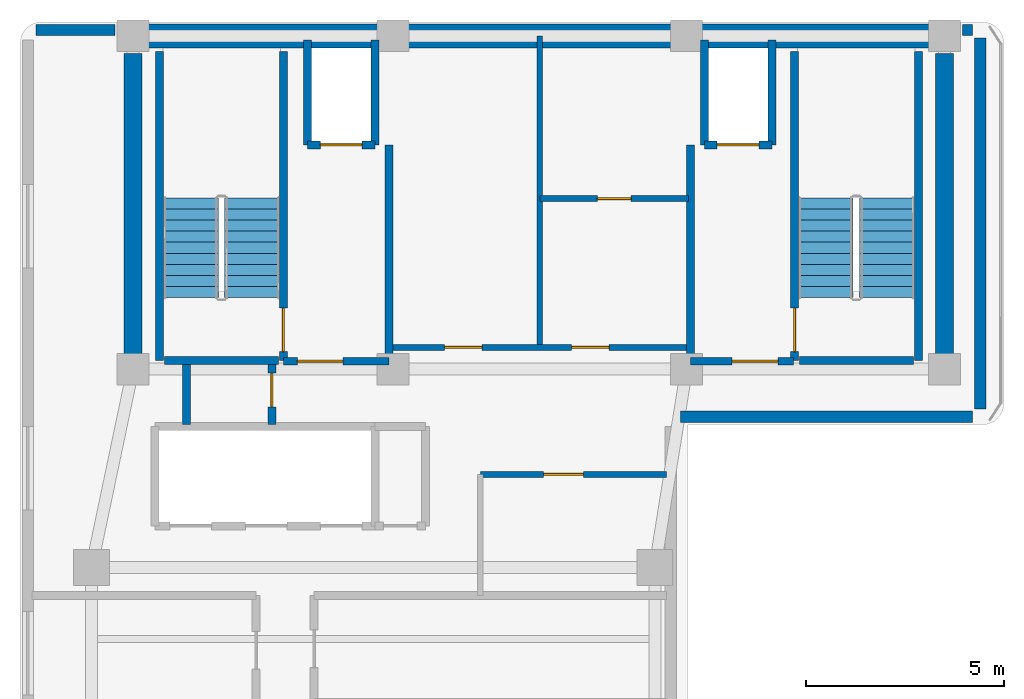
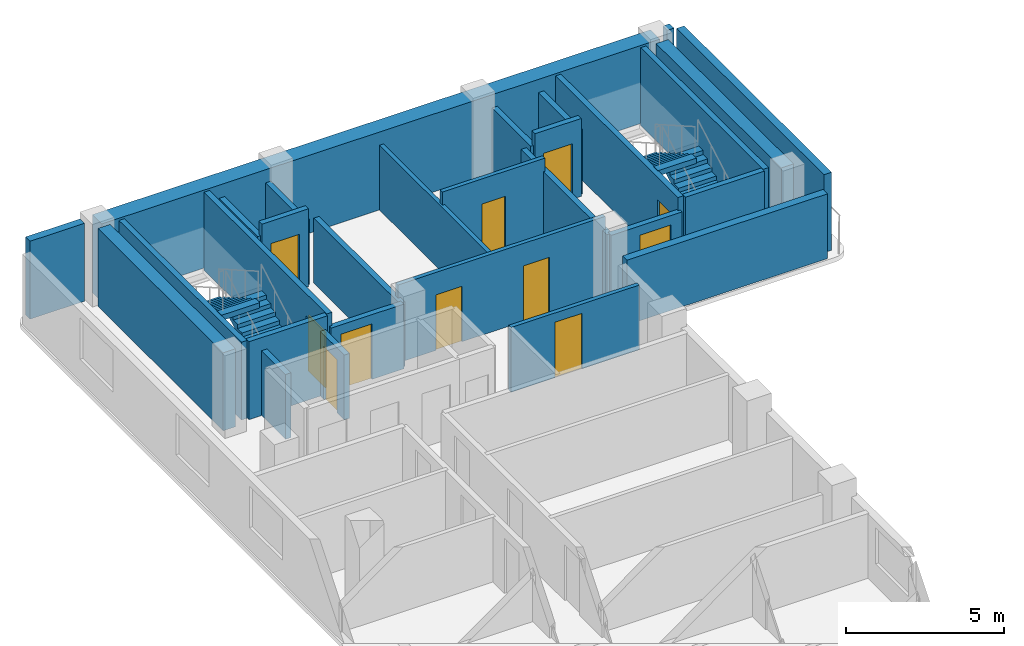
# One storey, part 3 of 4: 29 walls, 11 doors, 4 stair flights, 11 openings, 2 elements without a shape of their own.
"""IFC4 building model written with IfcOpenShell, lengths in metres."""

import ifcopenshell
import ifcopenshell.guid

model = None  # the IFC model being written
_history = None  # IfcOwnerHistory: only IFC2X3 demands one
_inside = {}  # id of a spatial element -> (the spatial element, [elements in it])
_under = {}  # id of a project, library or spatial element -> (it, [spatial elements below it])
_declared = {}  # id of a project -> (the project, [libraries it declares])
_typed = {}  # id of a type object -> (the type object, [elements of that type])
_made_of = {}  # id of a material, layer set ... -> (it, [elements and type objects made of it])


def new_model(schema):
    """Start an empty IFC model of exactly this schema.

    Asked for "IFC4X3", IfcOpenShell would pick the latest addendum, in which some entities
    have other attributes; the version numbers below select the first issue.
    IFC2X3 requires an IfcOwnerHistory on every rooted entity: one is made here for all.
    """
    global model, _history
    if schema == "IFC4X3":
        model = ifcopenshell.file(schema_version=(4, 3, 0, 0))
    else:
        model = ifcopenshell.file(schema=schema)
    _inside.clear()
    _under.clear()
    _declared.clear()
    _typed.clear()
    _made_of.clear()
    _history = None
    if model.schema == "IFC2X3":
        org = make("IfcOrganization", Name="unknown")
        user = make(
            "IfcPersonAndOrganization",
            ThePerson=make("IfcPerson", FamilyName="unknown"),
            TheOrganization=org,
        )
        app = make(
            "IfcApplication",
            ApplicationDeveloper=org,
            Version="unknown",
            ApplicationFullName="unknown",
            ApplicationIdentifier="unknown",
        )
        _history = make(
            "IfcOwnerHistory",
            OwningUser=user,
            OwningApplication=app,
            ChangeAction="ADDED",
            CreationDate=0,
        )
    return model


def make(cls, **values):
    """One entity of the class cls with the attributes given. An attribute that is None is left unset."""
    return model.create_entity(
        cls, **{name: value for name, value in values.items() if value is not None}
    )


def rooted(cls, **values):
    """An entity with a GlobalId (a new one), such as an element, a storey or a relation."""
    return make(cls, GlobalId=ifcopenshell.guid.new(), OwnerHistory=_history, **values)


def si_unit(unit_type, name, prefix=None):
    """IfcSIUnit, for example si_unit("LENGTHUNIT", "METRE", prefix="MILLI")."""
    return make("IfcSIUnit", UnitType=unit_type, Prefix=prefix, Name=name)


def assignment(units):
    """IfcUnitAssignment: the units of a project."""
    return None if units is None else make("IfcUnitAssignment", Units=units)


def point(xyz):
    """IfcCartesianPoint."""
    return None if xyz is None else make("IfcCartesianPoint", Coordinates=xyz)


def direction(xyz):
    """IfcDirection."""
    return None if xyz is None else make("IfcDirection", DirectionRatios=xyz)


def frame(location, z_axis=None, x_axis=None):
    """IfcAxis2Placement3D, a coordinate frame: its origin and axes. An axis left out is left unset."""
    return make(
        "IfcAxis2Placement3D",
        Location=point(location),
        Axis=direction(z_axis),
        RefDirection=direction(x_axis),
    )


def frame_2d(location, x_axis=None):
    """IfcAxis2Placement2D, a coordinate frame in the plane: its origin and x axis."""
    return make(
        "IfcAxis2Placement2D", Location=point(location), RefDirection=direction(x_axis)
    )


def origin():
    """The frame at (0, 0, 0) with its axes left unset."""
    return frame((0.0, 0.0, 0.0))


def place(relative_to, where):
    """IfcLocalPlacement: puts the frame where relative to a parent placement (None: the world)."""
    return make(
        "IfcLocalPlacement", PlacementRelTo=relative_to, RelativePlacement=where
    )


def context(
    kind, dimensions, precision=None, world=None, true_north=None, identifier=None
):
    """IfcGeometricRepresentationContext, for example the 3D "Model" context."""
    return make(
        "IfcGeometricRepresentationContext",
        ContextIdentifier=identifier,
        ContextType=kind,
        CoordinateSpaceDimension=dimensions,
        Precision=precision,
        WorldCoordinateSystem=world,
        TrueNorth=true_north,
    )


def subcontext(parent, identifier, kind, view, scale=None):
    """IfcGeometricRepresentationSubContext, for example "Body" below "Model"."""
    return make(
        "IfcGeometricRepresentationSubContext",
        ContextIdentifier=identifier,
        ContextType=kind,
        ParentContext=parent,
        TargetScale=scale,
        TargetView=view,
    )


def project(units=None, contexts=None):
    """IfcProject with its units and contexts."""
    return rooted(
        "IfcProject",
        Name="project",
        RepresentationContexts=contexts,
        UnitsInContext=assignment(units),
    )


def spatial(cls, under=None, at=None, **own):
    """A site, building, storey or space (cls), placed at a placement, below another one or the project."""
    s = rooted(cls, ObjectPlacement=at, **own)
    if under is not None:
        _under.setdefault(under.id(), (under, []))[1].append(s)
    return s


def polyline(points):
    """IfcPolyline through the points."""
    return make("IfcPolyline", Points=[point(p) for p in points])


def profile(cls, at=None, kind="AREA", **sizes):
    """A parametric profile (cls). Its sizes go by their IFC names, for example OverallWidth=200.0."""
    return make(cls, ProfileType=kind, Position=at, **sizes)


def rectangle(**sizes):
    """IfcRectangleProfileDef."""
    return profile("IfcRectangleProfileDef", **sizes)


def outline(outer, holes=None, kind="AREA"):
    """IfcArbitraryClosedProfileDef: a profile drawn as a closed curve; with holes, ...WithVoids."""
    if holes is None:
        return make("IfcArbitraryClosedProfileDef", ProfileType=kind, OuterCurve=outer)
    return make(
        "IfcArbitraryProfileDefWithVoids",
        ProfileType=kind,
        OuterCurve=outer,
        InnerCurves=holes,
    )


def extrude(swept, where, along, depth):
    """IfcExtrudedAreaSolid: the profile swept, set in the frame where, extruded along a direction by depth."""
    return make(
        "IfcExtrudedAreaSolid",
        SweptArea=swept,
        Position=where,
        ExtrudedDirection=direction(along),
        Depth=depth,
    )


def shape(context_of_items, identifier, shape_type, items):
    """IfcShapeRepresentation: the items that make up one representation, for example the "Body"."""
    return make(
        "IfcShapeRepresentation",
        ContextOfItems=context_of_items,
        RepresentationIdentifier=identifier,
        RepresentationType=shape_type,
        Items=items,
    )


def material(Name=None, Category=None):
    """IfcMaterial."""
    return make("IfcMaterial", Name=Name, Category=Category)


def layer(
    of_material, thickness, ventilated=None, Name=None, Category=None, Priority=None
):
    """IfcMaterialLayer: one layer of a wall or slab, of a material (None: an air gap)."""
    return make(
        "IfcMaterialLayer",
        Material=of_material,
        LayerThickness=thickness,
        IsVentilated=ventilated,
        Name=Name,
        Category=Category,
        Priority=Priority,
    )


def layer_set(layers, Name=None):
    """IfcMaterialLayerSet."""
    return make("IfcMaterialLayerSet", MaterialLayers=layers, LayerSetName=Name)


def made_of(thing, what):
    """Note that an element or type object is made of a material, layer set ...; save() writes the relation."""
    if what is not None:
        _made_of.setdefault(what.id(), (what, []))[1].append(thing)
    return thing


def type_object(cls, material=None, **own):
    """A type object (cls), such as IfcWallType, which elements share."""
    return made_of(rooted(cls, **own), material)


def element(
    cls,
    number,
    at=None,
    inside=None,
    cuts=None,
    type_object=None,
    material=None,
    context=None,
    identifier="Body",
    shape_type=None,
    held_by="IfcProductDefinitionShape",
    body=None,
    shapes=None,
    **own,
):
    """One element of the class cls, such as IfcWall. Its Tag is "e" and its number.

    at: its placement. inside: the storey or other place that contains it. cuts: it is an
    opening in that element (IfcRelVoidsElement). A single representation is given by context,
    identifier, shape_type and body (its items); several are given by shapes. held_by: the class
    of the entity that holds the representations. save() writes the other relations.
    """
    e = rooted(cls, Tag="e%d" % number, ObjectPlacement=at, **own)
    if body is not None:
        shapes = [shape(context, identifier, shape_type, body)]
    if shapes is not None:
        e.Representation = make(held_by, Representations=shapes)
    if inside is not None:
        _inside.setdefault(inside.id(), (inside, []))[1].append(e)
    if cuts is not None:
        rooted(
            "IfcRelVoidsElement", RelatingBuildingElement=cuts, RelatedOpeningElement=e
        )
    if type_object is not None:
        _typed.setdefault(type_object.id(), (type_object, []))[1].append(e)
    return made_of(e, material)


def fill(opening, filler):
    """IfcRelFillsElement: the door or window that sits in an opening."""
    return rooted(
        "IfcRelFillsElement",
        RelatingOpeningElement=opening,
        RelatedBuildingElement=filler,
    )


def aggregate(whole, parts):
    """IfcRelAggregates: a whole, such as a stair, and the parts it consists of."""
    return rooted("IfcRelAggregates", RelatingObject=whole, RelatedObjects=parts)


def save(model, path):
    """Write the relations noted so far, then the file.

    IfcRelAggregates (storeys below a building ...), IfcRelContainedInSpatialStructure (elements
    in a storey), IfcRelDefinesByType, IfcRelAssociatesMaterial and IfcRelDeclares: one each for
    every whole, place, type object, material and project.
    """
    for whole, parts in _under.values():
        aggregate(whole, parts)
    for where, things in _inside.values():
        rooted(
            "IfcRelContainedInSpatialStructure",
            RelatedElements=things,
            RelatingStructure=where,
        )
    for kind, things in _typed.values():
        rooted("IfcRelDefinesByType", RelatedObjects=things, RelatingType=kind)
    for what, things in _made_of.values():
        rooted("IfcRelAssociatesMaterial", RelatedObjects=things, RelatingMaterial=what)
    for by, libraries in _declared.values():
        rooted("IfcRelDeclares", RelatingContext=by, RelatedDefinitions=libraries)
    model.write(path)


model = new_model("IFC4")

# Units and contexts
model_context = context("Model", 3, precision=1e-05, world=origin(), true_north=direction((0.0, 1.0)))
body_context = subcontext(model_context, "Body", "Model", "MODEL_VIEW")
ifc_project = project(units=[si_unit("LENGTHUNIT", "METRE"), si_unit("AREAUNIT", "SQUARE_METRE"), si_unit("VOLUMEUNIT", "CUBIC_METRE"), si_unit("PLANEANGLEUNIT", "RADIAN"), si_unit("MASSUNIT", "GRAM", prefix="KILO")], contexts=[model_context])

# Site, building, storey
site_placement = place(None, origin())
site = spatial("IfcSite", under=ifc_project, at=site_placement, CompositionType="ELEMENT")
building_placement = place(site_placement, origin())
building = spatial("IfcBuilding", under=site, at=building_placement, Name="Kuzgunbayir Cultural Tower", CompositionType="ELEMENT")
storey_placement = place(building_placement, frame((0.0, 0.0, 208.0)))
storey = spatial("IfcBuildingStorey", under=building, at=storey_placement, Name="L61", CompositionType="ELEMENT", Elevation=208.0)

# Walls
ifc_material_1 = material(Name="Concrete C50/60", Category="concrete")
ifc_layer_1 = layer(ifc_material_1, 0.449951171875)
ifc_layer_set_1 = layer_set([ifc_layer_1], Name="Concrete C50/60")
wall_type_1 = type_object("IfcWallType", Name="WAL-CORE-450", PredefinedType="SHEAR", material=ifc_layer_set_1)
for number, where, z_axis, x_axis, name in (
    (1, (6.449951171875, 33.800048828125, 0.0), (0.0, 0.0, 1.0), (0.0, 1.0, 0.0), "L61 T1 Core West Shear Wall"),
    (2, (26.89990234375, 33.800048828125, 0.0), (0.0, 0.0, 1.0), (0.0, 1.0, 0.0), "L61 T1 Core East Shear Wall"),
):
    element("IfcWall", number, at=place(storey_placement, frame(where, z_axis=z_axis, x_axis=x_axis)), inside=storey, type_object=wall_type_1, Name=name, PredefinedType="SHEAR", context=body_context, shape_type="SweptSolid", body=[
        extrude(rectangle(XDim=7.949951171875, YDim=0.449951171875, at=frame_2d((3.97509765625, 0.0))), origin(), (0.0, 0.0, 1.0), 3.02001953125),
    ])
ifc_material_2 = material(Name="Concrete C60/75", Category="concrete")
ifc_layer_2 = layer(ifc_material_2, 0.60009765625)
ifc_layer_set_2 = layer_set([ifc_layer_2], Name="Concrete C60/75")
wall_type_2 = type_object("IfcWallType", Name="WAL-CORE-600", PredefinedType="SHEAR", material=ifc_layer_set_2)
wall_1_placement = place(storey_placement, frame((6.449951171875, 42.199951171875, 0.0), z_axis=(0.0, 0.0, 1.0), x_axis=(1.0, 0.0, 0.0)))
element("IfcWall", 3, at=wall_1_placement, inside=storey, type_object=wall_type_2, Name="L61 T1 Core North Shear Wall", PredefinedType="SHEAR", context=body_context, shape_type="SweptSolid", body=[
    extrude(rectangle(XDim=20.449951171875, YDim=0.60009765625, at=frame_2d((10.22509765625, 0.0))), origin(), (0.0, 0.0, 1.0), 3.02001953125),
])
ifc_material_3 = material(Name="Anatolian Cream Limestone", Category="masonry")
ifc_layer_3 = layer(ifc_material_3, 0.280029296875)
ifc_layer_set_3 = layer_set([ifc_layer_3], Name="Anatolian Cream Limestone")
wall_type_3 = type_object("IfcWallType", Name="WAL-EXT-STONE-280", PredefinedType="STANDARD", material=ifc_layer_set_3)
wall_2_placement = place(storey_placement, frame((27.60009765625, 42.35009765625, 0.0), z_axis=(0.0, 0.0, 1.0), x_axis=(-1.0, 0.0, 0.0)))
element("IfcWall", 4, at=wall_2_placement, inside=storey, type_object=wall_type_3, Name="L61 North Wing B Limestone Wall", PredefinedType="STANDARD", context=body_context, shape_type="SweptSolid", body=[
    extrude(rectangle(XDim=0.25, YDim=0.280029296875, at=frame_2d((0.125, 0.0))), origin(), (0.0, 0.0, 1.0), 3.02001953125),
])
wall_3_placement = place(storey_placement, frame((6.0, 42.35009765625, 0.0), z_axis=(0.0, 0.0, 1.0), x_axis=(-1.0, 0.0, 0.0)))
element("IfcWall", 5, at=wall_3_placement, inside=storey, type_object=wall_type_3, Name="L61 Core North-West Spandrel Link", PredefinedType="STANDARD", context=body_context, shape_type="SweptSolid", body=[
    extrude(rectangle(XDim=2.0, YDim=0.280029296875, at=frame_2d((1.0, 0.0))), origin(), (0.0, 0.0, 1.0), 3.02001953125),
])
wall_4_placement = place(storey_placement, frame((27.800048828125, 32.800048828125, 0.0), z_axis=(0.0, 0.0, 1.0), x_axis=(0.0, 1.0, 0.0)))
element("IfcWall", 6, at=wall_4_placement, inside=storey, type_object=wall_type_3, Name="L61 Rear Core East Limestone Wall", PredefinedType="STANDARD", context=body_context, shape_type="SweptSolid", body=[
    extrude(rectangle(XDim=9.349853515625, YDim=0.280029296875, at=frame_2d((4.6748046875, 0.0))), origin(), (0.0, 0.0, 1.0), 3.02001953125),
])
wall_5_placement = place(storey_placement, frame((20.25, 32.60009765625, 0.0), z_axis=(0.0, 0.0, 1.0), x_axis=(1.0, 0.0, 0.0)))
element("IfcWall", 7, at=wall_5_placement, inside=storey, type_object=wall_type_3, Name="L61 Core South Soffit Wall", PredefinedType="STANDARD", context=body_context, shape_type="SweptSolid", body=[
    extrude(rectangle(XDim=7.35009765625, YDim=0.280029296875, at=frame_2d((3.675048828125, 0.0))), origin(), (0.0, 0.0, 1.0), 2.510009765625),
])

# Wall, openings, doors
ifc_material_4 = material(Name="Acoustic Double-Stud Drywall", Category="gypsum")
ifc_layer_4 = layer(ifc_material_4, 0.14990234375)
ifc_layer_set_4 = layer_set([ifc_layer_4], Name="Acoustic Double-Stud Drywall")
wall_type_4 = type_object("IfcWallType", Name="WAL-PART-ACOUSTIC-150", PredefinedType="PARTITIONING", material=ifc_layer_set_4)
wall_6_placement = place(storey_placement, frame((12.89990234375, 34.35009765625, 0.0), z_axis=(0.0, 0.0, 1.0), x_axis=(1.0, 0.0, 0.0)))
wall_6 = element("IfcWall", 8, at=wall_6_placement, inside=storey, type_object=wall_type_4, Name="L61 Sky Core South Wall", PredefinedType="PARTITIONING", context=body_context, shape_type="SweptSolid", body=[
    extrude(rectangle(XDim=7.60009765625, YDim=0.14990234375, at=frame_2d((3.800048828125, 0.0))), origin(), (0.0, 0.0, 1.0), 3.02001953125),
])
opening_1_placement = place(wall_6_placement, frame((1.39990234375, 0.0, 0.0)))
opening_1 = element("IfcOpeningElement", 9, at=opening_1_placement, cuts=wall_6, Name="Opening DC-95", PredefinedType="OPENING", context=body_context, shape_type="SweptSolid", body=[
    extrude(rectangle(XDim=0.949951171875, YDim=2.14990234375, at=frame_2d((0.47509765625, 1.074951171875))), frame((0.0, 0.0849609375, 0.0), z_axis=(0.0, -1.0, 0.0), x_axis=(1.0, 0.0, 0.0)), (0.0, 0.0, 1.0), 0.169921875),
])
opening_2_placement = place(wall_6_placement, frame((4.60009765625, 0.0, 0.0)))
opening_2 = element("IfcOpeningElement", 10, at=opening_2_placement, cuts=wall_6, Name="Opening DC-95", PredefinedType="OPENING", context=body_context, shape_type="SweptSolid", body=[
    extrude(rectangle(XDim=0.949951171875, YDim=2.14990234375, at=frame_2d((0.47509765625, 1.074951171875))), frame((0.0, 0.0849609375, 0.0), z_axis=(0.0, -1.0, 0.0), x_axis=(1.0, 0.0, 0.0)), (0.0, 0.0, 1.0), 0.169921875),
])
ifc_material_5 = material(Name="Fire-Rated Veneered Oak Leaf", Category="wood")
door_type_1 = type_object("IfcDoorType", Name="DR-CORE-95", OperationType="NOTDEFINED", PredefinedType="DOOR", material=ifc_material_5)
door_1_placement = place(opening_1_placement, origin())
door_1 = element("IfcDoor", 11, at=door_1_placement, inside=storey, type_object=door_type_1, Name="L61 Library Alcove Door", OperationType="SINGLE_SWING_LEFT", OverallHeight=2.14990234375, OverallWidth=0.949951171875, PredefinedType="DOOR", context=body_context, shape_type="SweptSolid", body=[
    extrude(rectangle(XDim=0.949951171875, YDim=2.14990234375, at=frame_2d((0.47509765625, 1.074951171875))), frame((0.0, 0.02490234375, 0.0), z_axis=(0.0, -1.0, 0.0), x_axis=(1.0, 0.0, 0.0)), (0.0, 0.0, 1.0), 0.050048828125),
])
fill(opening_1, door_1)
door_2_placement = place(opening_2_placement, origin())
door_2 = element("IfcDoor", 12, at=door_2_placement, inside=storey, type_object=door_type_1, Name="L61 Music Practice Room Door", OperationType="SINGLE_SWING_RIGHT", OverallHeight=2.14990234375, OverallWidth=0.949951171875, PredefinedType="DOOR", context=body_context, shape_type="SweptSolid", body=[
    extrude(rectangle(XDim=0.949951171875, YDim=2.14990234375, at=frame_2d((0.47509765625, 1.074951171875))), frame((0.0, 0.02490234375, 0.0), z_axis=(0.0, -1.0, 0.0), x_axis=(1.0, 0.0, 0.0)), (0.0, 0.0, 1.0), 0.050048828125),
])
fill(opening_2, door_2)

# Wall
wall_7_placement = place(storey_placement, frame((16.699951171875, 34.35009765625, 0.0), z_axis=(0.0, 0.0, 1.0), x_axis=(0.0, 1.0, 0.0)))
element("IfcWall", 13, at=wall_7_placement, inside=storey, type_object=wall_type_4, Name="L61 Sky Core Vertical Wall", PredefinedType="PARTITIONING", context=body_context, shape_type="SweptSolid", body=[
    extrude(rectangle(XDim=7.849853515625, YDim=0.14990234375, at=frame_2d((3.9248046875, 0.0))), origin(), (0.0, 0.0, 1.0), 2.510009765625),
])

# Wall, opening, door
wall_8_placement = place(storey_placement, frame((16.699951171875, 38.10009765625, 0.0), z_axis=(0.0, 0.0, 1.0), x_axis=(1.0, 0.0, 0.0)))
wall_8 = element("IfcWall", 14, at=wall_8_placement, inside=storey, type_object=wall_type_4, Name="L61 Sky Core Store Divider", PredefinedType="PARTITIONING", context=body_context, shape_type="SweptSolid", body=[
    extrude(rectangle(XDim=3.75, YDim=0.14990234375, at=frame_2d((1.875, 0.0))), origin(), (0.0, 0.0, 1.0), 3.02001953125),
])
opening_3_placement = place(wall_8_placement, frame((1.449951171875, 0.0, 0.0)))
opening_3 = element("IfcOpeningElement", 15, at=opening_3_placement, cuts=wall_8, Name="Opening DC-85", PredefinedType="OPENING", context=body_context, shape_type="SweptSolid", body=[
    extrude(rectangle(XDim=0.85009765625, YDim=2.050048828125, at=frame_2d((0.425048828125, 1.02490234375))), frame((0.0, 0.0849609375, 0.0), z_axis=(0.0, -1.0, 0.0), x_axis=(1.0, 0.0, 0.0)), (0.0, 0.0, 1.0), 0.169921875),
])
door_type_2 = type_object("IfcDoorType", Name="DR-CORE-85", OperationType="NOTDEFINED", PredefinedType="DOOR", material=ifc_material_5)
door_3_placement = place(opening_3_placement, origin())
door_3 = element("IfcDoor", 16, at=door_3_placement, inside=storey, type_object=door_type_2, Name="L61 Core Electrical Store Door", OperationType="SINGLE_SWING_LEFT", OverallHeight=2.050048828125, OverallWidth=0.85009765625, PredefinedType="DOOR", context=body_context, shape_type="SweptSolid", body=[
    extrude(rectangle(XDim=0.85009765625, YDim=2.050048828125, at=frame_2d((0.425048828125, 1.02490234375))), frame((0.0, 0.02490234375, 0.0), z_axis=(0.0, -1.0, 0.0), x_axis=(1.0, 0.0, 0.0)), (0.0, 0.0, 1.0), 0.050048828125),
])
fill(opening_3, door_3)

wall_9_placement = place(storey_placement, frame((15.199951171875, 31.14990234375, 0.0), z_axis=(0.0, 0.0, 1.0), x_axis=(1.0, 0.0, 0.0)))
wall_9 = element("IfcWall", 17, at=wall_9_placement, inside=storey, type_object=wall_type_4, Name="L61 Central Sky Salon North Wall", PredefinedType="PARTITIONING", context=body_context, shape_type="SweptSolid", body=[
    extrude(rectangle(XDim=4.699951171875, YDim=0.14990234375, at=frame_2d((2.35009765625, 0.0))), origin(), (0.0, 0.0, 1.0), 2.510009765625),
])
opening_4_placement = place(wall_9_placement, frame((1.60009765625, 0.0, 0.0)))
opening_4 = element("IfcOpeningElement", 18, at=opening_4_placement, cuts=wall_9, Name="Opening DI-100", PredefinedType="OPENING", context=body_context, shape_type="SweptSolid", body=[
    extrude(rectangle(XDim=1.0, YDim=2.14990234375, at=frame_2d((0.5, 1.074951171875))), frame((0.0, 0.0849609375, 0.0), z_axis=(0.0, -1.0, 0.0), x_axis=(1.0, 0.0, 0.0)), (0.0, 0.0, 1.0), 0.169921875),
])
ifc_material_6 = material(Name="Veneered Oak Single Leaf", Category="wood")
door_type_3 = type_object("IfcDoorType", Name="DR-INT-100", OperationType="NOTDEFINED", PredefinedType="DOOR", material=ifc_material_6)
door_4_placement = place(opening_4_placement, origin())
door_4 = element("IfcDoor", 19, at=door_4_placement, inside=storey, type_object=door_type_3, Name="L61 Central Sky Salon Door", OperationType="SINGLE_SWING_LEFT", OverallHeight=2.14990234375, OverallWidth=1.0, PredefinedType="DOOR", context=body_context, shape_type="SweptSolid", body=[
    extrude(rectangle(XDim=1.0, YDim=2.14990234375, at=frame_2d((0.5, 1.074951171875))), frame((0.0, 0.02490234375, 0.0), z_axis=(0.0, -1.0, 0.0), x_axis=(1.0, 0.0, 0.0)), (0.0, 0.0, 1.0), 0.050048828125),
])
fill(opening_4, door_4)

# Wall
ifc_material_7 = material(Name="Aerated Concrete Blockwork", Category="masonry")
ifc_layer_5 = layer(ifc_material_7, 0.199951171875)
ifc_layer_set_5 = layer_set([ifc_layer_5], Name="Aerated Concrete Blockwork")
wall_type_5 = type_object("IfcWallType", Name="WAL-PART-FIRE-200", PredefinedType="PARTITIONING", material=ifc_layer_set_5)
wall_10_placement = place(storey_placement, frame((12.89990234375, 34.0, 0.0), z_axis=(0.0, 0.0, 1.0), x_axis=(0.0, 1.0, 0.0)))
element("IfcWall", 20, at=wall_10_placement, inside=storey, type_object=wall_type_5, Name="L61 FFL-1 Lobby East Fire Wall", PredefinedType="PARTITIONING", context=body_context, shape_type="SweptSolid", body=[
    extrude(rectangle(XDim=5.449951171875, YDim=0.199951171875, at=frame_2d((2.72509765625, 0.0))), origin(), (0.0, 0.0, 1.0), 2.510009765625),
])

# Wall, opening, door
wall_11_placement = place(storey_placement, frame((10.239990234375, 34.0, 0.0), z_axis=(0.0, 0.0, 1.0), x_axis=(1.0, 0.0, 0.0)))
wall_11 = element("IfcWall", 21, at=wall_11_placement, inside=storey, type_object=wall_type_5, Name="L61 FFL-1 Lobby South Fire Wall", PredefinedType="PARTITIONING", context=body_context, shape_type="SweptSolid", body=[
    extrude(rectangle(XDim=2.659912109375, YDim=0.199951171875, at=frame_2d((1.330078125, 0.0))), origin(), (0.0, 0.0, 1.0), 2.510009765625),
])
opening_5_placement = place(wall_11_placement, frame((0.35009765625, 0.0, 0.0)))
opening_5 = element("IfcOpeningElement", 22, at=opening_5_placement, cuts=wall_11, Name="Opening DR-FFL-90", PredefinedType="OPENING", context=body_context, shape_type="SweptSolid", body=[
    extrude(rectangle(XDim=1.14990234375, YDim=2.14990234375, at=frame_2d((0.574951171875, 1.074951171875))), frame((0.0, 0.10986328125, 0.0), z_axis=(0.0, -1.0, 0.0), x_axis=(1.0, 0.0, 0.0)), (0.0, 0.0, 1.0), 0.219970703125),
])
ifc_material_8 = material(Name="Steel S355J2", Category="steel")
door_type_4 = type_object("IfcDoorType", Name="DR-FFL-90", OperationType="NOTDEFINED", PredefinedType="DOOR", material=ifc_material_8)
door_5_placement = place(opening_5_placement, origin())
door_5 = element("IfcDoor", 23, at=door_5_placement, inside=storey, type_object=door_type_4, Name="L61 Firefighting Lobby 1 Door", OperationType="SINGLE_SWING_LEFT", OverallHeight=2.14990234375, OverallWidth=1.14990234375, PredefinedType="DOOR", context=body_context, shape_type="SweptSolid", body=[
    extrude(rectangle(XDim=1.14990234375, YDim=2.14990234375, at=frame_2d((0.574951171875, 1.074951171875))), frame((0.0, 0.02490234375, 0.0), z_axis=(0.0, -1.0, 0.0), x_axis=(1.0, 0.0, 0.0)), (0.0, 0.0, 1.0), 0.050048828125),
])
fill(opening_5, door_5)

# Wall
wall_12_placement = place(storey_placement, frame((20.5, 34.0, 0.0), z_axis=(0.0, 0.0, 1.0), x_axis=(0.0, 1.0, 0.0)))
element("IfcWall", 24, at=wall_12_placement, inside=storey, type_object=wall_type_5, Name="L61 FFL-2 Lobby West Fire Wall", PredefinedType="PARTITIONING", context=body_context, shape_type="SweptSolid", body=[
    extrude(rectangle(XDim=5.449951171875, YDim=0.199951171875, at=frame_2d((2.72509765625, 0.0))), origin(), (0.0, 0.0, 1.0), 2.510009765625),
])

# Wall, opening, door
wall_13_placement = place(storey_placement, frame((20.5, 34.0, 0.0), z_axis=(0.0, 0.0, 1.0), x_axis=(1.0, 0.0, 0.0)))
wall_13 = element("IfcWall", 25, at=wall_13_placement, inside=storey, type_object=wall_type_5, Name="L61 FFL-2 Lobby South Fire Wall", PredefinedType="PARTITIONING", context=body_context, shape_type="SweptSolid", body=[
    extrude(rectangle(XDim=2.60009765625, YDim=0.199951171875, at=frame_2d((1.300048828125, 0.0))), origin(), (0.0, 0.0, 1.0), 2.510009765625),
])
opening_6_placement = place(wall_13_placement, frame((1.050048828125, 0.0, 0.0)))
opening_6 = element("IfcOpeningElement", 26, at=opening_6_placement, cuts=wall_13, Name="Opening DR-FFL-90", PredefinedType="OPENING", context=body_context, shape_type="SweptSolid", body=[
    extrude(rectangle(XDim=1.14990234375, YDim=2.14990234375, at=frame_2d((0.574951171875, 1.074951171875))), frame((0.0, 0.10986328125, 0.0), z_axis=(0.0, -1.0, 0.0), x_axis=(1.0, 0.0, 0.0)), (0.0, 0.0, 1.0), 0.219970703125),
])
door_6_placement = place(opening_6_placement, origin())
door_6 = element("IfcDoor", 27, at=door_6_placement, inside=storey, type_object=door_type_4, Name="L61 Firefighting Lobby 2 Door", OperationType="SINGLE_SWING_RIGHT", OverallHeight=2.14990234375, OverallWidth=1.14990234375, PredefinedType="DOOR", context=body_context, shape_type="SweptSolid", body=[
    extrude(rectangle(XDim=1.14990234375, YDim=2.14990234375, at=frame_2d((0.574951171875, 1.074951171875))), frame((0.0, 0.02490234375, 0.0), z_axis=(0.0, -1.0, 0.0), x_axis=(1.0, 0.0, 0.0)), (0.0, 0.0, 1.0), 0.050048828125),
])
fill(opening_6, door_6)

# Wall
wall_14_placement = place(storey_placement, frame((7.800048828125, 32.39990234375, 0.0), z_axis=(0.0, 0.0, 1.0), x_axis=(0.0, 1.0, 0.0)))
element("IfcWall", 28, at=wall_14_placement, inside=storey, type_object=wall_type_5, Name="L61 West Core Electrical Closet West Wall", PredefinedType="PARTITIONING", context=body_context, shape_type="SweptSolid", body=[
    extrude(rectangle(XDim=1.52001953125, YDim=0.199951171875, at=frame_2d((0.760009765625, 0.0))), origin(), (0.0, 0.0, 1.0), 2.510009765625),
])

# Wall, opening, door
wall_15_placement = place(storey_placement, frame((9.949951171875, 32.39990234375, 0.0), z_axis=(0.0, 0.0, 1.0), x_axis=(0.0, 1.0, 0.0)))
wall_15 = element("IfcWall", 29, at=wall_15_placement, inside=storey, type_object=wall_type_5, Name="L61 West Core Electrical Closet East Wall", PredefinedType="PARTITIONING", context=body_context, shape_type="SweptSolid", body=[
    extrude(rectangle(XDim=1.52001953125, YDim=0.199951171875, at=frame_2d((0.760009765625, 0.0))), origin(), (0.0, 0.0, 1.0), 2.510009765625),
])
opening_7_placement = place(wall_15_placement, frame((0.449951171875, 0.0, 0.0)))
opening_7 = element("IfcOpeningElement", 30, at=opening_7_placement, cuts=wall_15, Name="Opening DR-RSR-60", PredefinedType="OPENING", context=body_context, shape_type="SweptSolid", body=[
    extrude(rectangle(XDim=0.85009765625, YDim=2.050048828125, at=frame_2d((0.425048828125, 1.02490234375))), frame((0.0, 0.10986328125, 0.0), z_axis=(0.0, -1.0, 0.0), x_axis=(1.0, 0.0, 0.0)), (0.0, 0.0, 1.0), 0.219970703125),
])
ifc_material_9 = material(Name="Steel Access Leaf", Category="steel")
door_type_5 = type_object("IfcDoorType", Name="DR-RISER-60", OperationType="NOTDEFINED", PredefinedType="DOOR", material=ifc_material_9)
door_7_placement = place(opening_7_placement, origin())
door_7 = element("IfcDoor", 31, at=door_7_placement, inside=storey, type_object=door_type_5, Name="L61 West Core Switchgear Closet Door", OperationType="SINGLE_SWING_RIGHT", OverallHeight=2.050048828125, OverallWidth=0.85009765625, PredefinedType="DOOR", context=body_context, shape_type="SweptSolid", body=[
    extrude(rectangle(XDim=0.85009765625, YDim=2.050048828125, at=frame_2d((0.425048828125, 1.02490234375))), frame((0.0, 0.02490234375, 0.0), z_axis=(0.0, -1.0, 0.0), x_axis=(1.0, 0.0, 0.0)), (0.0, 0.0, 1.0), 0.050048828125),
])
fill(opening_7, door_7)

ifc_material_10 = material(Name="Concrete C40/50", Category="concrete")
ifc_layer_6 = layer(ifc_material_10, 0.199951171875)
ifc_layer_set_6 = layer_set([ifc_layer_6], Name="Concrete C40/50")
wall_type_6 = type_object("IfcWallType", Name="WAL-SHAFT-200", PredefinedType="MOVABLE", material=ifc_layer_set_6)
wall_16_placement = place(storey_placement, frame((10.85009765625, 39.449951171875, 0.0), z_axis=(0.0, 0.0, 1.0), x_axis=(1.0, 0.0, 0.0)))
wall_16 = element("IfcWall", 32, at=wall_16_placement, inside=storey, type_object=wall_type_6, Name="L61 FFL-1 Lift Front Wall", PredefinedType="MOVABLE", context=body_context, shape_type="SweptSolid", body=[
    extrude(rectangle(XDim=1.699951171875, YDim=0.199951171875, at=frame_2d((0.85009765625, 0.0))), origin(), (0.0, 0.0, 1.0), 3.02001953125),
])
opening_8_placement = place(wall_16_placement, frame((0.320068359375, 0.0, 0.0)))
opening_8 = element("IfcOpeningElement", 33, at=opening_8_placement, cuts=wall_16, Name="Opening LD", PredefinedType="OPENING", context=body_context, shape_type="SweptSolid", body=[
    extrude(rectangle(XDim=1.050048828125, YDim=2.14990234375, at=frame_2d((0.52490234375, 1.074951171875))), frame((0.0, 0.10986328125, 0.0), z_axis=(0.0, -1.0, 0.0), x_axis=(1.0, 0.0, 0.0)), (0.0, 0.0, 1.0), 0.219970703125),
])
ifc_material_11 = material(Name="Brushed Stainless Steel", Category="steel")
door_type_6 = type_object("IfcDoorType", Name="DR-LIFT-LANDING", OperationType="SLIDING_TO_LEFT", PredefinedType="DOOR", material=ifc_material_11)
door_8_placement = place(opening_8_placement, origin())
door_8 = element("IfcDoor", 34, at=door_8_placement, inside=storey, type_object=door_type_6, Name="L61 Lift FFL-1 Landing Door", OperationType="SLIDING_TO_LEFT", OverallHeight=2.14990234375, OverallWidth=1.050048828125, PredefinedType="DOOR", context=body_context, shape_type="SweptSolid", body=[
    extrude(rectangle(XDim=1.050048828125, YDim=2.14990234375, at=frame_2d((0.52490234375, 1.074951171875))), frame((0.0, 0.02490234375, 0.0), z_axis=(0.0, -1.0, 0.0), x_axis=(1.0, 0.0, 0.0)), (0.0, 0.0, 1.0), 0.050048828125),
])
fill(opening_8, door_8)

wall_17_placement = place(storey_placement, frame((20.85009765625, 39.449951171875, 0.0), z_axis=(0.0, 0.0, 1.0), x_axis=(1.0, 0.0, 0.0)))
wall_17 = element("IfcWall", 35, at=wall_17_placement, inside=storey, type_object=wall_type_6, Name="L61 FFL-2 Lift Front Wall", PredefinedType="MOVABLE", context=body_context, shape_type="SweptSolid", body=[
    extrude(rectangle(XDim=1.699951171875, YDim=0.199951171875, at=frame_2d((0.85009765625, 0.0))), origin(), (0.0, 0.0, 1.0), 3.02001953125),
])
opening_9_placement = place(wall_17_placement, frame((0.320068359375, 0.0, 0.0)))
opening_9 = element("IfcOpeningElement", 36, at=opening_9_placement, cuts=wall_17, Name="Opening LD", PredefinedType="OPENING", context=body_context, shape_type="SweptSolid", body=[
    extrude(rectangle(XDim=1.050048828125, YDim=2.14990234375, at=frame_2d((0.52490234375, 1.074951171875))), frame((0.0, 0.10986328125, 0.0), z_axis=(0.0, -1.0, 0.0), x_axis=(1.0, 0.0, 0.0)), (0.0, 0.0, 1.0), 0.219970703125),
])
door_9_placement = place(opening_9_placement, origin())
door_9 = element("IfcDoor", 37, at=door_9_placement, inside=storey, type_object=door_type_6, Name="L61 Lift FFL-2 Landing Door", OperationType="SLIDING_TO_LEFT", OverallHeight=2.14990234375, OverallWidth=1.050048828125, PredefinedType="DOOR", context=body_context, shape_type="SweptSolid", body=[
    extrude(rectangle(XDim=1.050048828125, YDim=2.14990234375, at=frame_2d((0.52490234375, 1.074951171875))), frame((0.0, 0.02490234375, 0.0), z_axis=(0.0, -1.0, 0.0), x_axis=(1.0, 0.0, 0.0)), (0.0, 0.0, 1.0), 0.050048828125),
])
fill(opening_9, door_9)

# Walls
for number, where, z_axis, x_axis, name in (
    (38, (10.85009765625, 39.449951171875, 0.0), (0.0, 0.0, 1.0), (0.0, 1.0, 0.0), "L61 FFL-1 Shaft West Wall"),
    (39, (12.550048828125, 39.449951171875, 0.0), (0.0, 0.0, 1.0), (0.0, 1.0, 0.0), "L61 FFL-1 Shaft East Wall"),
    (40, (20.85009765625, 39.449951171875, 0.0), (0.0, 0.0, 1.0), (0.0, 1.0, 0.0), "L61 FFL-2 Shaft West Wall"),
    (41, (22.550048828125, 39.449951171875, 0.0), (0.0, 0.0, 1.0), (0.0, 1.0, 0.0), "L61 FFL-2 Shaft East Wall"),
):
    element("IfcWall", number, at=place(storey_placement, frame(where, z_axis=z_axis, x_axis=x_axis)), inside=storey, type_object=wall_type_6, Name=name, PredefinedType="MOVABLE", context=body_context, shape_type="SweptSolid", body=[
        extrude(rectangle(XDim=2.650146484375, YDim=0.199951171875, at=frame_2d((1.3251953125, 0.0))), origin(), (0.0, 0.0, 1.0), 2.510009765625),
    ])
ifc_layer_7 = layer(ifc_material_10, 0.199951171875)
ifc_layer_set_7 = layer_set([ifc_layer_7], Name="Concrete C40/50")
wall_type_7 = type_object("IfcWallType", Name="WAL-STAIR-RC-200", PredefinedType="SHEAR", material=ifc_layer_set_7)
wall_18_placement = place(storey_placement, frame((7.1201171875, 34.02001953125, 0.0), z_axis=(0.0, 0.0, 1.0), x_axis=(0.0, 1.0, 0.0)))
element("IfcWall", 42, at=wall_18_placement, inside=storey, type_object=wall_type_7, Name="L61 Stair ST-1 West Structural Wall", PredefinedType="SHEAR", context=body_context, shape_type="SweptSolid", body=[
    extrude(rectangle(XDim=7.780029296875, YDim=0.199951171875, at=frame_2d((3.89013671875, 0.0))), origin(), (0.0, 0.0, 1.0), 3.02001953125),
])

# Wall, opening, door
wall_19_placement = place(storey_placement, frame((10.239990234375, 34.02001953125, 0.0), z_axis=(0.0, 0.0, 1.0), x_axis=(0.0, 1.0, 0.0)))
wall_19 = element("IfcWall", 43, at=wall_19_placement, inside=storey, type_object=wall_type_7, Name="L61 Stair ST-1 East Structural Wall", PredefinedType="SHEAR", context=body_context, shape_type="SweptSolid", body=[
    extrude(rectangle(XDim=7.780029296875, YDim=0.199951171875, at=frame_2d((3.89013671875, 0.0))), origin(), (0.0, 0.0, 1.0), 3.02001953125),
])
opening_10_placement = place(wall_19_placement, frame((0.219970703125, 0.0, 0.0)))
opening_10 = element("IfcOpeningElement", 44, at=opening_10_placement, cuts=wall_19, Name="Opening DR-STAIR-90", PredefinedType="OPENING", context=body_context, shape_type="SweptSolid", body=[
    extrude(rectangle(XDim=1.10009765625, YDim=2.14990234375, at=frame_2d((0.550048828125, 1.074951171875))), frame((0.0, 0.10986328125, 0.0), z_axis=(0.0, -1.0, 0.0), x_axis=(1.0, 0.0, 0.0)), (0.0, 0.0, 1.0), 0.219970703125),
])
door_type_7 = type_object("IfcDoorType", Name="DR-STAIR-90", OperationType="NOTDEFINED", PredefinedType="DOOR", material=ifc_material_8)
door_10_placement = place(opening_10_placement, origin())
door_10 = element("IfcDoor", 45, at=door_10_placement, inside=storey, type_object=door_type_7, Name="L61 Stair ST-1 Fire Door", OperationType="SINGLE_SWING_LEFT", OverallHeight=2.14990234375, OverallWidth=1.10009765625, PredefinedType="DOOR", context=body_context, shape_type="SweptSolid", body=[
    extrude(rectangle(XDim=1.10009765625, YDim=2.14990234375, at=frame_2d((0.550048828125, 1.074951171875))), frame((0.0, 0.02490234375, 0.0), z_axis=(0.0, -1.0, 0.0), x_axis=(1.0, 0.0, 0.0)), (0.0, 0.0, 1.0), 0.050048828125),
])
fill(opening_10, door_10)

# Wall
wall_20_placement = place(storey_placement, frame((7.239990234375, 34.02001953125, 0.0), z_axis=(0.0, 0.0, 1.0), x_axis=(1.0, 0.0, 0.0)))
element("IfcWall", 46, at=wall_20_placement, inside=storey, type_object=wall_type_7, Name="L61 Stair ST-1 South Structural Wall", PredefinedType="SHEAR", context=body_context, shape_type="SweptSolid", body=[
    extrude(rectangle(XDim=2.880126953125, YDim=0.199951171875, at=frame_2d((1.43994140625, 0.0))), origin(), (0.0, 0.0, 1.0), 3.02001953125),
])

# Wall, opening, door
wall_21_placement = place(storey_placement, frame((23.1201171875, 34.02001953125, 0.0), z_axis=(0.0, 0.0, 1.0), x_axis=(0.0, 1.0, 0.0)))
wall_21 = element("IfcWall", 47, at=wall_21_placement, inside=storey, type_object=wall_type_7, Name="L61 Stair ST-2 West Structural Wall", PredefinedType="SHEAR", context=body_context, shape_type="SweptSolid", body=[
    extrude(rectangle(XDim=7.780029296875, YDim=0.199951171875, at=frame_2d((3.89013671875, 0.0))), origin(), (0.0, 0.0, 1.0), 3.02001953125),
])
opening_11_placement = place(wall_21_placement, frame((0.219970703125, 0.0, 0.0)))
opening_11 = element("IfcOpeningElement", 48, at=opening_11_placement, cuts=wall_21, Name="Opening DR-STAIR-90", PredefinedType="OPENING", context=body_context, shape_type="SweptSolid", body=[
    extrude(rectangle(XDim=1.10009765625, YDim=2.14990234375, at=frame_2d((0.550048828125, 1.074951171875))), frame((0.0, 0.10986328125, 0.0), z_axis=(0.0, -1.0, 0.0), x_axis=(1.0, 0.0, 0.0)), (0.0, 0.0, 1.0), 0.219970703125),
])
door_11_placement = place(opening_11_placement, origin())
door_11 = element("IfcDoor", 49, at=door_11_placement, inside=storey, type_object=door_type_7, Name="L61 Stair ST-2 Fire Door", OperationType="SINGLE_SWING_LEFT", OverallHeight=2.14990234375, OverallWidth=1.10009765625, PredefinedType="DOOR", context=body_context, shape_type="SweptSolid", body=[
    extrude(rectangle(XDim=1.10009765625, YDim=2.14990234375, at=frame_2d((0.550048828125, 1.074951171875))), frame((0.0, 0.02490234375, 0.0), z_axis=(0.0, -1.0, 0.0), x_axis=(1.0, 0.0, 0.0)), (0.0, 0.0, 1.0), 0.050048828125),
])
fill(opening_11, door_11)

# Walls
wall_22_placement = place(storey_placement, frame((26.239990234375, 34.02001953125, 0.0), z_axis=(0.0, 0.0, 1.0), x_axis=(0.0, 1.0, 0.0)))
element("IfcWall", 50, at=wall_22_placement, inside=storey, type_object=wall_type_7, Name="L61 Stair ST-2 East Structural Wall", PredefinedType="SHEAR", context=body_context, shape_type="SweptSolid", body=[
    extrude(rectangle(XDim=7.780029296875, YDim=0.199951171875, at=frame_2d((3.89013671875, 0.0))), origin(), (0.0, 0.0, 1.0), 3.02001953125),
])
wall_23_placement = place(storey_placement, frame((23.239990234375, 34.02001953125, 0.0), z_axis=(0.0, 0.0, 1.0), x_axis=(1.0, 0.0, 0.0)))
element("IfcWall", 51, at=wall_23_placement, inside=storey, type_object=wall_type_7, Name="L61 Stair ST-2 South Structural Wall", PredefinedType="SHEAR", context=body_context, shape_type="SweptSolid", body=[
    extrude(rectangle(XDim=2.880126953125, YDim=0.199951171875, at=frame_2d((1.43994140625, 0.0))), origin(), (0.0, 0.0, 1.0), 3.02001953125),
])

# Stair, stair flights
stair_type = type_object("IfcStairType", Name="STR-EXIT-CORE", PredefinedType="HALF_TURN_STAIR", material=ifc_material_10)
stair_1_placement = place(storey_placement, origin())
stair_1 = element("IfcStair", 52, at=stair_1_placement, inside=storey, type_object=stair_type, Name="L61 ST-1", PredefinedType="HALF_TURN_STAIR")
stair_flight_type = type_object("IfcStairFlightType", Name="STRF-RC-140", PredefinedType="STRAIGHT", material=ifc_material_10)
stair_flight_1_placement = place(storey_placement, frame((9.4599609375, 35.60009765625, 0.0), z_axis=(0.0, 0.0, 1.0), x_axis=(0.0, 1.0, 0.0)))
stair_flight_1 = element("IfcStairFlight", 53, at=stair_flight_1_placement, type_object=stair_flight_type, Name="ST-1 flight 1", NumberOfRisers=10, NumberOfTreads=9, PredefinedType="STRAIGHT", RiserHeight=0.16, TreadLength=0.28, context=body_context, shape_type="SweptSolid", body=[
    extrude(outline(polyline([(0.0, 0.0), (0.0, 0.159912109375), (0.280029296875, 0.159912109375), (0.280029296875, 0.320068359375), (0.56005859375, 0.320068359375), (0.56005859375, 0.47998046875), (0.840087890625, 0.47998046875), (0.840087890625, 0.639892578125), (1.1201171875, 0.639892578125), (1.1201171875, 0.800048828125), (1.39990234375, 0.800048828125), (1.39990234375, 0.9599609375), (1.679931640625, 0.9599609375), (1.679931640625, 1.1201171875), (1.9599609375, 1.1201171875), (1.9599609375, 1.280029296875), (2.239990234375, 1.280029296875), (2.239990234375, 1.43994140625), (2.52001953125, 1.43994140625), (2.52001953125, 1.60009765625), (2.52001953125, 1.232666015625), (0.362548828125, 0.0), (0.0, 0.0)])), frame((0.0, 0.699951171875, 0.0), z_axis=(0.0, -1.0, 0.0), x_axis=(1.0, 0.0, 0.0)), (0.0, 0.0, 1.0), 1.39990234375),
])
stair_flight_2_placement = place(storey_placement, frame((7.89990234375, 38.1201171875, 1.60009765625), z_axis=(0.0, 0.0, 1.0), x_axis=(0.0, -1.0, 0.0)))
stair_flight_2 = element("IfcStairFlight", 54, at=stair_flight_2_placement, type_object=stair_flight_type, Name="ST-1 flight 2", NumberOfRisers=10, NumberOfTreads=9, PredefinedType="STRAIGHT", RiserHeight=0.16, TreadLength=0.28, context=body_context, shape_type="SweptSolid", body=[
    extrude(outline(polyline([(0.0, 0.0), (0.0, 0.159912109375), (0.280029296875, 0.159912109375), (0.280029296875, 0.320068359375), (0.56005859375, 0.320068359375), (0.56005859375, 0.47998046875), (0.840087890625, 0.47998046875), (0.840087890625, 0.639892578125), (1.1201171875, 0.639892578125), (1.1201171875, 0.800048828125), (1.39990234375, 0.800048828125), (1.39990234375, 0.9599609375), (1.679931640625, 0.9599609375), (1.679931640625, 1.1201171875), (1.9599609375, 1.1201171875), (1.9599609375, 1.280029296875), (2.239990234375, 1.280029296875), (2.239990234375, 1.43994140625), (2.52001953125, 1.43994140625), (2.52001953125, 1.60009765625), (2.52001953125, 1.232666015625), (0.362548828125, 0.0), (0.0, 0.0)])), frame((0.0, 0.699951171875, 0.0), z_axis=(0.0, -1.0, 0.0), x_axis=(1.0, 0.0, 0.0)), (0.0, 0.0, 1.0), 1.39990234375),
])
aggregate(stair_1, [stair_flight_1, stair_flight_2])

stair_2_placement = place(storey_placement, origin())
stair_2 = element("IfcStair", 55, at=stair_2_placement, inside=storey, type_object=stair_type, Name="L61 ST-2", PredefinedType="HALF_TURN_STAIR")
stair_flight_3_placement = place(storey_placement, frame((25.4599609375, 35.60009765625, 0.0), z_axis=(0.0, 0.0, 1.0), x_axis=(0.0, 1.0, 0.0)))
stair_flight_3 = element("IfcStairFlight", 56, at=stair_flight_3_placement, type_object=stair_flight_type, Name="ST-2 flight 1", NumberOfRisers=10, NumberOfTreads=9, PredefinedType="STRAIGHT", RiserHeight=0.16, TreadLength=0.28, context=body_context, shape_type="SweptSolid", body=[
    extrude(outline(polyline([(0.0, 0.0), (0.0, 0.159912109375), (0.280029296875, 0.159912109375), (0.280029296875, 0.320068359375), (0.56005859375, 0.320068359375), (0.56005859375, 0.47998046875), (0.840087890625, 0.47998046875), (0.840087890625, 0.639892578125), (1.1201171875, 0.639892578125), (1.1201171875, 0.800048828125), (1.39990234375, 0.800048828125), (1.39990234375, 0.9599609375), (1.679931640625, 0.9599609375), (1.679931640625, 1.1201171875), (1.9599609375, 1.1201171875), (1.9599609375, 1.280029296875), (2.239990234375, 1.280029296875), (2.239990234375, 1.43994140625), (2.52001953125, 1.43994140625), (2.52001953125, 1.60009765625), (2.52001953125, 1.232666015625), (0.362548828125, 0.0), (0.0, 0.0)])), frame((0.0, 0.699951171875, 0.0), z_axis=(0.0, -1.0, 0.0), x_axis=(1.0, 0.0, 0.0)), (0.0, 0.0, 1.0), 1.39990234375),
])
stair_flight_4_placement = place(storey_placement, frame((23.89990234375, 38.1201171875, 1.60009765625), z_axis=(0.0, 0.0, 1.0), x_axis=(0.0, -1.0, 0.0)))
stair_flight_4 = element("IfcStairFlight", 57, at=stair_flight_4_placement, type_object=stair_flight_type, Name="ST-2 flight 2", NumberOfRisers=10, NumberOfTreads=9, PredefinedType="STRAIGHT", RiserHeight=0.16, TreadLength=0.28, context=body_context, shape_type="SweptSolid", body=[
    extrude(outline(polyline([(0.0, 0.0), (0.0, 0.159912109375), (0.280029296875, 0.159912109375), (0.280029296875, 0.320068359375), (0.56005859375, 0.320068359375), (0.56005859375, 0.47998046875), (0.840087890625, 0.47998046875), (0.840087890625, 0.639892578125), (1.1201171875, 0.639892578125), (1.1201171875, 0.800048828125), (1.39990234375, 0.800048828125), (1.39990234375, 0.9599609375), (1.679931640625, 0.9599609375), (1.679931640625, 1.1201171875), (1.9599609375, 1.1201171875), (1.9599609375, 1.280029296875), (2.239990234375, 1.280029296875), (2.239990234375, 1.43994140625), (2.52001953125, 1.43994140625), (2.52001953125, 1.60009765625), (2.52001953125, 1.232666015625), (0.362548828125, 0.0), (0.0, 0.0)])), frame((0.0, 0.699951171875, 0.0), z_axis=(0.0, -1.0, 0.0), x_axis=(1.0, 0.0, 0.0)), (0.0, 0.0, 1.0), 1.39990234375),
])
aggregate(stair_2, [stair_flight_3, stair_flight_4])

save(model, "model.ifc")
